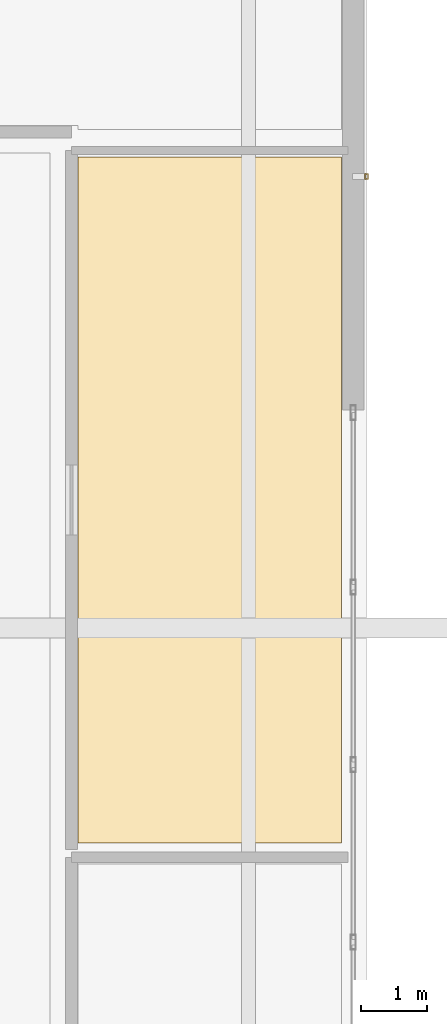
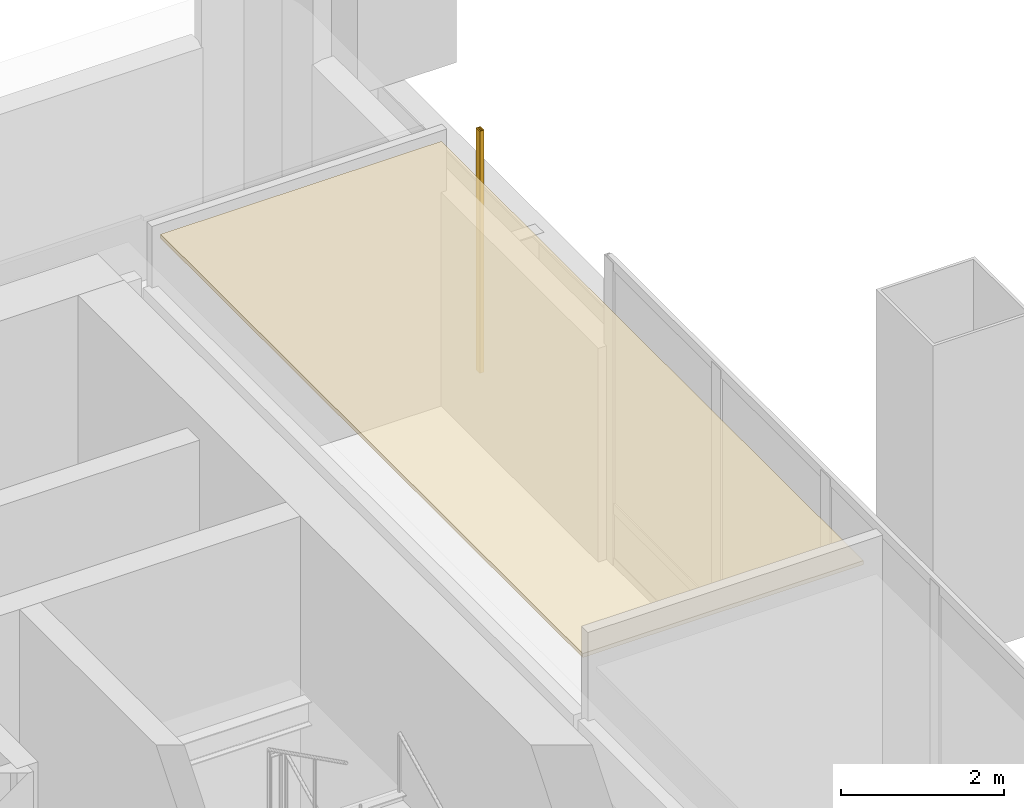
# One storey, part 27 of 30: 1 covering, 1 shading device.
"""IFC4 building model written with IfcOpenShell, lengths in metres."""

import ifcopenshell
import ifcopenshell.guid

model = None  # the IFC model being written
_history = None  # IfcOwnerHistory: only IFC2X3 demands one
_inside = {}  # id of a spatial element -> (the spatial element, [elements in it])
_under = {}  # id of a project, library or spatial element -> (it, [spatial elements below it])
_declared = {}  # id of a project -> (the project, [libraries it declares])
_typed = {}  # id of a type object -> (the type object, [elements of that type])
_made_of = {}  # id of a material, layer set ... -> (it, [elements and type objects made of it])


def new_model(schema):
    """Start an empty IFC model of exactly this schema.

    Asked for "IFC4X3", IfcOpenShell would pick the latest addendum, in which some entities
    have other attributes; the version numbers below select the first issue.
    IFC2X3 requires an IfcOwnerHistory on every rooted entity: one is made here for all.
    """
    global model, _history
    if schema == "IFC4X3":
        model = ifcopenshell.file(schema_version=(4, 3, 0, 0))
    else:
        model = ifcopenshell.file(schema=schema)
    _inside.clear()
    _under.clear()
    _declared.clear()
    _typed.clear()
    _made_of.clear()
    _history = None
    if model.schema == "IFC2X3":
        org = make("IfcOrganization", Name="unknown")
        user = make(
            "IfcPersonAndOrganization",
            ThePerson=make("IfcPerson", FamilyName="unknown"),
            TheOrganization=org,
        )
        app = make(
            "IfcApplication",
            ApplicationDeveloper=org,
            Version="unknown",
            ApplicationFullName="unknown",
            ApplicationIdentifier="unknown",
        )
        _history = make(
            "IfcOwnerHistory",
            OwningUser=user,
            OwningApplication=app,
            ChangeAction="ADDED",
            CreationDate=0,
        )
    return model


def make(cls, **values):
    """One entity of the class cls with the attributes given. An attribute that is None is left unset."""
    return model.create_entity(
        cls, **{name: value for name, value in values.items() if value is not None}
    )


def rooted(cls, **values):
    """An entity with a GlobalId (a new one), such as an element, a storey or a relation."""
    return make(cls, GlobalId=ifcopenshell.guid.new(), OwnerHistory=_history, **values)


def si_unit(unit_type, name, prefix=None):
    """IfcSIUnit, for example si_unit("LENGTHUNIT", "METRE", prefix="MILLI")."""
    return make("IfcSIUnit", UnitType=unit_type, Prefix=prefix, Name=name)


def assignment(units):
    """IfcUnitAssignment: the units of a project."""
    return None if units is None else make("IfcUnitAssignment", Units=units)


def point(xyz):
    """IfcCartesianPoint."""
    return None if xyz is None else make("IfcCartesianPoint", Coordinates=xyz)


def direction(xyz):
    """IfcDirection."""
    return None if xyz is None else make("IfcDirection", DirectionRatios=xyz)


def frame(location, z_axis=None, x_axis=None):
    """IfcAxis2Placement3D, a coordinate frame: its origin and axes. An axis left out is left unset."""
    return make(
        "IfcAxis2Placement3D",
        Location=point(location),
        Axis=direction(z_axis),
        RefDirection=direction(x_axis),
    )


def frame_2d(location, x_axis=None):
    """IfcAxis2Placement2D, a coordinate frame in the plane: its origin and x axis."""
    return make(
        "IfcAxis2Placement2D", Location=point(location), RefDirection=direction(x_axis)
    )


def origin():
    """The frame at (0, 0, 0) with its axes left unset."""
    return frame((0.0, 0.0, 0.0))


def origin_2d():
    """The frame at (0, 0) in the plane with its x axis left unset."""
    return frame_2d((0.0, 0.0))


def place(relative_to, where):
    """IfcLocalPlacement: puts the frame where relative to a parent placement (None: the world)."""
    return make(
        "IfcLocalPlacement", PlacementRelTo=relative_to, RelativePlacement=where
    )


def context(
    kind, dimensions, precision=None, world=None, true_north=None, identifier=None
):
    """IfcGeometricRepresentationContext, for example the 3D "Model" context."""
    return make(
        "IfcGeometricRepresentationContext",
        ContextIdentifier=identifier,
        ContextType=kind,
        CoordinateSpaceDimension=dimensions,
        Precision=precision,
        WorldCoordinateSystem=world,
        TrueNorth=true_north,
    )


def subcontext(parent, identifier, kind, view, scale=None):
    """IfcGeometricRepresentationSubContext, for example "Body" below "Model"."""
    return make(
        "IfcGeometricRepresentationSubContext",
        ContextIdentifier=identifier,
        ContextType=kind,
        ParentContext=parent,
        TargetScale=scale,
        TargetView=view,
    )


def project(units=None, contexts=None):
    """IfcProject with its units and contexts."""
    return rooted(
        "IfcProject",
        Name="project",
        RepresentationContexts=contexts,
        UnitsInContext=assignment(units),
    )


def spatial(cls, under=None, at=None, **own):
    """A site, building, storey or space (cls), placed at a placement, below another one or the project."""
    s = rooted(cls, ObjectPlacement=at, **own)
    if under is not None:
        _under.setdefault(under.id(), (under, []))[1].append(s)
    return s


def polyline(points):
    """IfcPolyline through the points."""
    return make("IfcPolyline", Points=[point(p) for p in points])


def profile(cls, at=None, kind="AREA", **sizes):
    """A parametric profile (cls). Its sizes go by their IFC names, for example OverallWidth=200.0."""
    return make(cls, ProfileType=kind, Position=at, **sizes)


def hollow_rectangle(**sizes):
    """IfcRectangleHollowProfileDef."""
    return profile("IfcRectangleHollowProfileDef", **sizes)


def outline(outer, holes=None, kind="AREA"):
    """IfcArbitraryClosedProfileDef: a profile drawn as a closed curve; with holes, ...WithVoids."""
    if holes is None:
        return make("IfcArbitraryClosedProfileDef", ProfileType=kind, OuterCurve=outer)
    return make(
        "IfcArbitraryProfileDefWithVoids",
        ProfileType=kind,
        OuterCurve=outer,
        InnerCurves=holes,
    )


def extrude(swept, where, along, depth):
    """IfcExtrudedAreaSolid: the profile swept, set in the frame where, extruded along a direction by depth."""
    return make(
        "IfcExtrudedAreaSolid",
        SweptArea=swept,
        Position=where,
        ExtrudedDirection=direction(along),
        Depth=depth,
    )


def shape(context_of_items, identifier, shape_type, items):
    """IfcShapeRepresentation: the items that make up one representation, for example the "Body"."""
    return make(
        "IfcShapeRepresentation",
        ContextOfItems=context_of_items,
        RepresentationIdentifier=identifier,
        RepresentationType=shape_type,
        Items=items,
    )


def material(Name=None, Category=None):
    """IfcMaterial."""
    return make("IfcMaterial", Name=Name, Category=Category)


def layer(
    of_material, thickness, ventilated=None, Name=None, Category=None, Priority=None
):
    """IfcMaterialLayer: one layer of a wall or slab, of a material (None: an air gap)."""
    return make(
        "IfcMaterialLayer",
        Material=of_material,
        LayerThickness=thickness,
        IsVentilated=ventilated,
        Name=Name,
        Category=Category,
        Priority=Priority,
    )


def layer_set(layers, Name=None):
    """IfcMaterialLayerSet."""
    return make("IfcMaterialLayerSet", MaterialLayers=layers, LayerSetName=Name)


def material_profile(
    of_material, cross_section, Name=None, Category=None, Priority=None
):
    """IfcMaterialProfile: a cross section and its material."""
    return make(
        "IfcMaterialProfile",
        Name=Name,
        Material=of_material,
        Profile=cross_section,
        Priority=Priority,
        Category=Category,
    )


def profile_set(profiles, Name=None, composite=None):
    """IfcMaterialProfileSet."""
    return make(
        "IfcMaterialProfileSet",
        Name=Name,
        MaterialProfiles=profiles,
        CompositeProfile=composite,
    )


def made_of(thing, what):
    """Note that an element or type object is made of a material, layer set ...; save() writes the relation."""
    if what is not None:
        _made_of.setdefault(what.id(), (what, []))[1].append(thing)
    return thing


def type_object(cls, material=None, **own):
    """A type object (cls), such as IfcWallType, which elements share."""
    return made_of(rooted(cls, **own), material)


def element(
    cls,
    number,
    at=None,
    inside=None,
    cuts=None,
    type_object=None,
    material=None,
    context=None,
    identifier="Body",
    shape_type=None,
    held_by="IfcProductDefinitionShape",
    body=None,
    shapes=None,
    **own,
):
    """One element of the class cls, such as IfcWall. Its Tag is "e" and its number.

    at: its placement. inside: the storey or other place that contains it. cuts: it is an
    opening in that element (IfcRelVoidsElement). A single representation is given by context,
    identifier, shape_type and body (its items); several are given by shapes. held_by: the class
    of the entity that holds the representations. save() writes the other relations.
    """
    e = rooted(cls, Tag="e%d" % number, ObjectPlacement=at, **own)
    if body is not None:
        shapes = [shape(context, identifier, shape_type, body)]
    if shapes is not None:
        e.Representation = make(held_by, Representations=shapes)
    if inside is not None:
        _inside.setdefault(inside.id(), (inside, []))[1].append(e)
    if cuts is not None:
        rooted(
            "IfcRelVoidsElement", RelatingBuildingElement=cuts, RelatedOpeningElement=e
        )
    if type_object is not None:
        _typed.setdefault(type_object.id(), (type_object, []))[1].append(e)
    return made_of(e, material)


def aggregate(whole, parts):
    """IfcRelAggregates: a whole, such as a stair, and the parts it consists of."""
    return rooted("IfcRelAggregates", RelatingObject=whole, RelatedObjects=parts)


def save(model, path):
    """Write the relations noted so far, then the file.

    IfcRelAggregates (storeys below a building ...), IfcRelContainedInSpatialStructure (elements
    in a storey), IfcRelDefinesByType, IfcRelAssociatesMaterial and IfcRelDeclares: one each for
    every whole, place, type object, material and project.
    """
    for whole, parts in _under.values():
        aggregate(whole, parts)
    for where, things in _inside.values():
        rooted(
            "IfcRelContainedInSpatialStructure",
            RelatedElements=things,
            RelatingStructure=where,
        )
    for kind, things in _typed.values():
        rooted("IfcRelDefinesByType", RelatedObjects=things, RelatingType=kind)
    for what, things in _made_of.values():
        rooted("IfcRelAssociatesMaterial", RelatedObjects=things, RelatingMaterial=what)
    for by, libraries in _declared.values():
        rooted("IfcRelDeclares", RelatingContext=by, RelatedDefinitions=libraries)
    model.write(path)


model = new_model("IFC4")

# Units and contexts
model_context = context("Model", 3, precision=1e-05, world=origin(), true_north=direction((0.0, 1.0)))
body_context = subcontext(model_context, "Body", "Model", "MODEL_VIEW")
ifc_project = project(units=[si_unit("LENGTHUNIT", "METRE"), si_unit("AREAUNIT", "SQUARE_METRE"), si_unit("VOLUMEUNIT", "CUBIC_METRE"), si_unit("PLANEANGLEUNIT", "RADIAN"), si_unit("MASSUNIT", "GRAM", prefix="KILO")], contexts=[model_context])

# Site, building, storey
site_placement = place(None, origin())
site = spatial("IfcSite", under=ifc_project, at=site_placement, CompositionType="ELEMENT")
building_placement = place(site_placement, origin())
building = spatial("IfcBuilding", under=site, at=building_placement, Name="Punatoya Terracotta Tower", CompositionType="ELEMENT")
storey_placement = place(building_placement, frame((0.0, 0.0, 135.0)))
storey = spatial("IfcBuildingStorey", under=building, at=storey_placement, Name="L31", CompositionType="ELEMENT", Elevation=135.0)

# Covering
ifc_material_1 = material(Name="Acoustic Mineral Fibre Ceiling")
ifc_layer = layer(ifc_material_1, 0.06005859375)
ifc_layer_set = layer_set([ifc_layer], Name="Acoustic Mineral Fibre Ceiling")
covering_type = type_object("IfcCoveringType", Name="COV-CEIL-60", PredefinedType="CEILING", material=ifc_layer_set)
covering_placement = place(storey_placement, frame((0.0, 0.0, 3.929931640625)))
element("IfcCovering", 1, at=covering_placement, inside=storey, type_object=covering_type, Name="L31 Staff Wellness Studio Acoustic Ceiling", PredefinedType="CEILING", context=body_context, shape_type="SweptSolid", body=[
    extrude(outline(polyline([(15.949951171875, 0.159912109375), (15.949951171875, 10.5), (11.97998046875, 10.5), (11.97998046875, 0.159912109375), (15.949951171875, 0.159912109375)])), origin(), (0.0, 0.0, 1.0), 0.06005859375),
])

# Shading device
ifc_material_2 = material(Name="Architectural Fired Terracotta", Category="masonry")
ifc_material_profile = material_profile(ifc_material_2, hollow_rectangle(XDim=0.06005859375, YDim=0.090087890625, WallThickness=0.013916015625, at=origin_2d()))
ifc_profile_set = profile_set([ifc_material_profile], Name="Architectural Fired Terracotta")
shading_device_type = type_object("IfcShadingDeviceType", Name="SHD-JALI-90", PredefinedType="JALOUSIE", material=ifc_profile_set)
shading_device_placement = place(storey_placement, frame((16.330078125, 10.20849609375, 0.60009765625), z_axis=(0.0, 0.0, 1.0), x_axis=(1.0, 0.0, 0.0)))
element("IfcShadingDevice", 2, at=shading_device_placement, inside=storey, type_object=shading_device_type, Name="L31 Braced Bay Terracotta Jali Fin E2", PredefinedType="JALOUSIE", context=body_context, shape_type="SweptSolid", body=[
    extrude(hollow_rectangle(XDim=0.06005859375, YDim=0.090087890625, WallThickness=0.013916015625, at=origin_2d()), origin(), (0.0, 0.0, 1.0), 3.619873046875),
])

save(model, "model.ifc")
